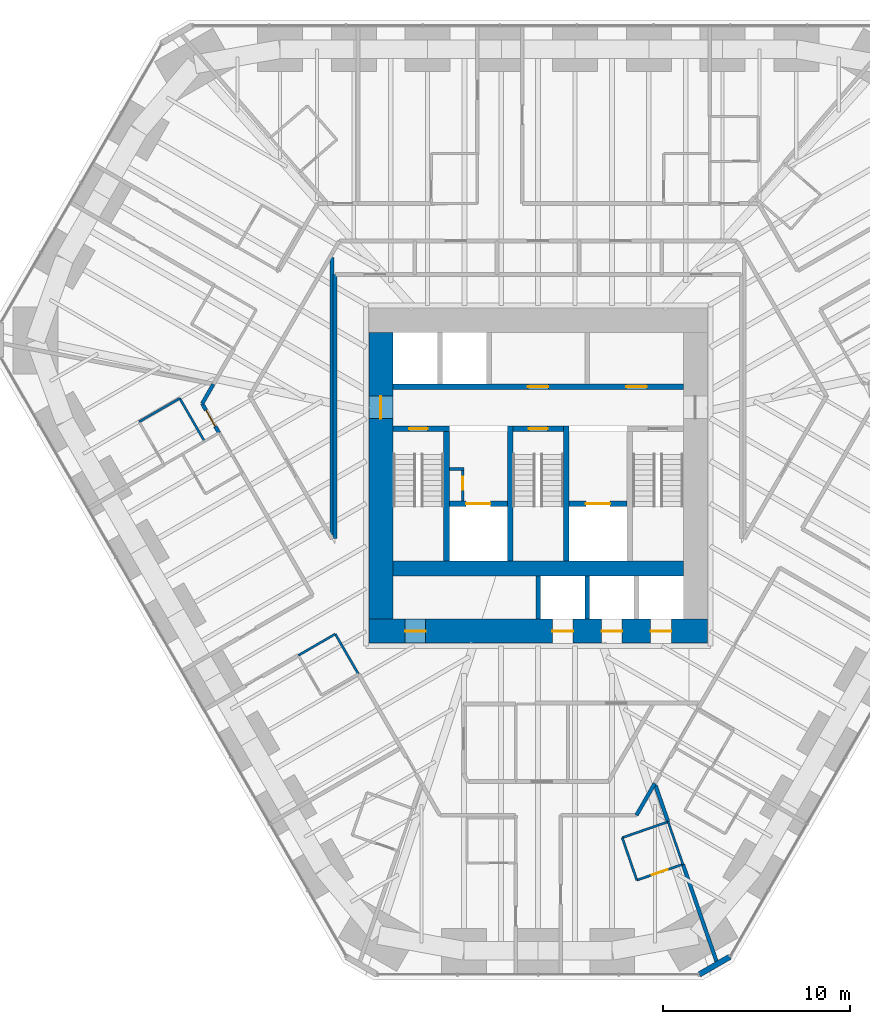
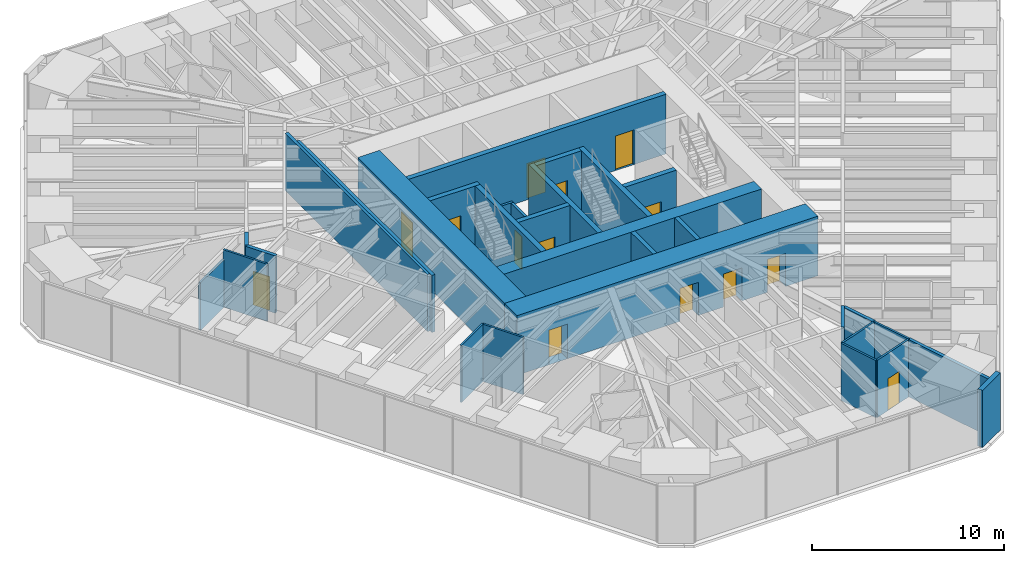
# One storey, part 12 of 17: 31 walls, 14 doors, 14 openings.
"""IFC4 building model written with IfcOpenShell, lengths in metres."""

from ifc_helpers import new_model, si_unit, direction, frame, frame_2d, origin, place, context, subcontext, project, spatial, rectangle, extrude, material, layer, layer_set, type_object, element, fill, save


model = new_model("IFC4")

# Units and contexts
model_context = context("Model", 3, precision=1e-05, world=origin(), true_north=direction((0.0, 1.0)))
body_context = subcontext(model_context, "Body", "Model", "MODEL_VIEW")
ifc_project = project(units=[si_unit("LENGTHUNIT", "METRE"), si_unit("AREAUNIT", "SQUARE_METRE"), si_unit("VOLUMEUNIT", "CUBIC_METRE"), si_unit("PLANEANGLEUNIT", "RADIAN"), si_unit("MASSUNIT", "GRAM", prefix="KILO")], contexts=[model_context])

# Site, building, storey
site_placement = place(None, origin())
site = spatial("IfcSite", under=ifc_project, at=site_placement, CompositionType="ELEMENT")
building_placement = place(site_placement, origin())
building = spatial("IfcBuilding", under=site, at=building_placement, Name="Sandreach Pilgrim Tower", CompositionType="ELEMENT")
storey_placement = place(building_placement, frame((0.0, 0.0, 100.60009765625)))
storey = spatial("IfcBuildingStorey", under=building, at=storey_placement, Name="L24", CompositionType="ELEMENT", Elevation=100.60009765625)

# Walls
ifc_material_1 = material(Name="Moisture-resistant gypsum board on steel studs", Category="steel")
ifc_layer_1 = layer(ifc_material_1, 0.1201171875)
ifc_layer_set_1 = layer_set([ifc_layer_1], Name="Bathroom partition 120")
wall_type_1 = type_object("IfcWallType", Name="Bathroom partition 120", PredefinedType="PARTITIONING", material=ifc_layer_set_1)
wall_1_placement = place(storey_placement, frame((-19.14990234375, 2.580078125, 0.0), z_axis=(0.0, 0.0, 1.0), x_axis=(-0.86653430447, -0.499117520406, 0.0)))
element("IfcWall", 1, at=wall_1_placement, inside=storey, type_object=wall_type_1, Name="Bathroom partition L24-008", PredefinedType="PARTITIONING", context=body_context, shape_type="SweptSolid", body=[
    extrude(rectangle(XDim=2.50439453125, YDim=0.1201171875, at=frame_2d((1.252197265625, 0.0))), origin(), (0.0, 0.0, 1.0), 3.037841796875),
])
wall_2_placement = place(storey_placement, frame((-17.830078125, 0.2900390625, 0.0), z_axis=(0.0, 0.0, 1.0), x_axis=(-0.499338582192, 0.866406936915, 0.0)))
element("IfcWall", 2, at=wall_2_placement, inside=storey, type_object=wall_type_1, Name="Bathroom partition L24-015", PredefinedType="PARTITIONING", context=body_context, shape_type="SweptSolid", body=[
    extrude(rectangle(XDim=2.64306640625, YDim=0.1201171875, at=frame_2d((1.321533203125, 0.0))), origin(), (0.0, 0.0, 1.0), 3.639892578125),
])
wall_3_placement = place(storey_placement, frame((-12.81005859375, -11.14990234375, 0.0), z_axis=(0.0, 0.0, 1.0), x_axis=(0.865543766642, 0.500833293649, 0.0)))
element("IfcWall", 3, at=wall_3_placement, inside=storey, type_object=wall_type_1, Name="Bathroom partition L24-033", PredefinedType="PARTITIONING", context=body_context, shape_type="SweptSolid", body=[
    extrude(rectangle(XDim=2.27587890625, YDim=0.1201171875, at=frame_2d((1.137939453125, 0.0))), origin(), (0.0, 0.0, 1.0), 3.639892578125),
])
wall_4_placement = place(storey_placement, frame((-10.840087890625, -10.010009765625, 0.0), z_axis=(0.0, 0.0, 1.0), x_axis=(0.500089055364, -0.86597398154, 0.0)))
element("IfcWall", 4, at=wall_4_placement, inside=storey, type_object=wall_type_1, Name="Bathroom partition L24-045", PredefinedType="PARTITIONING", context=body_context, shape_type="SweptSolid", body=[
    extrude(rectangle(XDim=2.45947265625, YDim=0.1201171875, at=frame_2d((1.229736328125, 0.0))), origin(), (0.0, 0.0, 1.0), 3.639892578125),
])
wall_5_placement = place(storey_placement, frame((4.489990234375, -20.889892578125, 0.0), z_axis=(0.0, 0.0, 1.0), x_axis=(0.324971746724, -0.945723724896, 0.0)))
element("IfcWall", 5, at=wall_5_placement, inside=storey, type_object=wall_type_1, Name="Bathroom partition L24-093", PredefinedType="PARTITIONING", context=body_context, shape_type="SweptSolid", body=[
    extrude(rectangle(XDim=2.400390625, YDim=0.1201171875, at=frame_2d((1.2001953125, 0.0))), origin(), (0.0, 0.0, 1.0), 3.639892578125),
])

# Wall, opening, door
wall_6_placement = place(storey_placement, frame((5.27001953125, -23.159912109375, 0.0), z_axis=(0.0, 0.0, 1.0), x_axis=(0.945184415197, 0.326537013627, 0.0)))
wall_6 = element("IfcWall", 6, at=wall_6_placement, inside=storey, type_object=wall_type_1, Name="Bathroom partition L24-095", PredefinedType="PARTITIONING", context=body_context, shape_type="SweptSolid", body=[
    extrude(rectangle(XDim=2.6025390625, YDim=0.1201171875, at=frame_2d((1.30126953125, 0.0))), origin(), (0.0, 0.0, 1.0), 3.639892578125),
])
opening_1_placement = place(wall_6_placement, frame((0.85009765625, 0.0, 0.0)))
opening_1 = element("IfcOpeningElement", 7, at=opening_1_placement, cuts=wall_6, Name="Opening D09-10B", PredefinedType="OPENING", context=body_context, shape_type="SweptSolid", body=[
    extrude(rectangle(XDim=0.89990234375, YDim=2.030029296875, at=frame_2d((0.449951171875, 1.01513671875))), frame((0.0, 0.06005859375, 0.0), z_axis=(0.0, -1.0, 0.0), x_axis=(1.0, 0.0, 0.0)), (0.0, 0.0, 1.0), 0.1201171875),
])
ifc_material_2 = material(Name="Timber door, steel frame", Category="steel")
door_type_1 = type_object("IfcDoorType", Name="Bathroom door", OperationType="SINGLE_SWING_LEFT", PredefinedType="DOOR", material=ifc_material_2)
door_1_placement = place(opening_1_placement, origin())
door_1 = element("IfcDoor", 8, at=door_1_placement, inside=storey, type_object=door_type_1, Name="Door 2410B", OperationType="SINGLE_SWING_LEFT", OverallHeight=2.030029296875, OverallWidth=0.89990234375, PredefinedType="DOOR", context=body_context, shape_type="SweptSolid", body=[
    extrude(rectangle(XDim=0.89990234375, YDim=2.030029296875, at=frame_2d((0.449951171875, 1.01513671875))), frame((0.0, 0.02490234375, 0.0), z_axis=(0.0, -1.0, 0.0), x_axis=(1.0, 0.0, 0.0)), (0.0, 0.0, 1.0), 0.050048828125),
])
fill(opening_1, door_1)

# Walls
wall_7_placement = place(storey_placement, frame((6.93994140625, -20.0400390625, 0.0), z_axis=(0.0, 0.0, 1.0), x_axis=(-0.944772080486, -0.327728112822, 0.0)))
element("IfcWall", 9, at=wall_7_placement, inside=storey, type_object=wall_type_1, Name="Bathroom partition L24-104", PredefinedType="PARTITIONING", context=body_context, shape_type="SweptSolid", body=[
    extrude(rectangle(XDim=2.59326171875, YDim=0.1201171875, at=frame_2d((1.296630859375, 0.0))), origin(), (0.0, 0.0, 1.0), 3.639892578125),
])
wall_8_placement = place(storey_placement, frame((6.93994140625, -20.0400390625, 0.0), z_axis=(0.0, 0.0, 1.0), x_axis=(0.328693963496, -0.944436487203, 0.0)))
element("IfcWall", 10, at=wall_8_placement, inside=storey, type_object=wall_type_1, Name="Bathroom partition L24-105", PredefinedType="PARTITIONING", context=body_context, shape_type="SweptSolid", body=[
    extrude(rectangle(XDim=2.403564453125, YDim=0.1201171875, at=frame_2d((1.20166015625, 0.0))), origin(), (0.0, 0.0, 1.0), 3.639892578125),
])
ifc_material_3 = material(Name="Concrete 10000 psi", Category="concrete")
ifc_layer_2 = layer(ifc_material_3, 0.300048828125)
ifc_layer_set_2 = layer_set([ifc_layer_2], Name="Core inner wall 300")
wall_type_2 = type_object("IfcWallType", Name="Core inner wall 300", PredefinedType="SHEAR", material=ifc_layer_set_2)
for number, where, z_axis, x_axis, name in (
    (11, (-4.89990234375, -6.10009765625, 0.0), (0.0, 0.0, 1.0), (0.0, 1.0, 0.0), "Core wall I0 L24"),
    (12, (-1.5, -6.10009765625, 0.0), (0.0, 0.0, 1.0), (0.0, 1.0, 0.0), "Core wall I1 L24"),
    (13, (1.5, -6.10009765625, 0.0), (0.0, 0.0, 1.0), (0.0, 1.0, 0.0), "Core wall I2 L24"),
):
    element("IfcWall", number, at=place(storey_placement, frame(where, z_axis=z_axis, x_axis=x_axis)), inside=storey, type_object=wall_type_2, Name=name, PredefinedType="SHEAR", context=body_context, shape_type="SweptSolid", body=[
        extrude(rectangle(XDim=7.2001953125, YDim=0.300048828125, at=frame_2d((3.60009765625, 0.0))), origin(), (0.0, 0.0, 1.0), 3.7998046875),
    ])

# Wall, opening, door
wall_9_placement = place(storey_placement, frame((-7.75, 0.949951171875, 0.0), z_axis=(0.0, 0.0, 1.0), x_axis=(1.0, 0.0, 0.0)))
wall_9 = element("IfcWall", 14, at=wall_9_placement, inside=storey, type_object=wall_type_2, Name="Core wall SN1 L24", PredefinedType="SHEAR", context=body_context, shape_type="SweptSolid", body=[
    extrude(rectangle(XDim=3.0, YDim=0.300048828125, at=frame_2d((1.5, 0.0))), origin(), (0.0, 0.0, 1.0), 3.7998046875),
])
opening_2_placement = place(wall_9_placement, frame((0.85009765625, 0.0, 0.0)))
opening_2 = element("IfcOpeningElement", 15, at=opening_2_placement, cuts=wall_9, Name="Opening D10S-ST1", PredefinedType="OPENING", context=body_context, shape_type="SweptSolid", body=[
    extrude(rectangle(XDim=1.0, YDim=2.199951171875, at=frame_2d((0.5, 1.10009765625))), frame((0.0, 0.14990234375, 0.0), z_axis=(0.0, -1.0, 0.0), x_axis=(1.0, 0.0, 0.0)), (0.0, 0.0, 1.0), 0.300048828125),
])
ifc_material_4 = material(Name="Steel door and frame", Category="steel")
door_type_2 = type_object("IfcDoorType", Name="Stair door", OperationType="SINGLE_SWING_LEFT", PredefinedType="DOOR", material=ifc_material_4)
door_2_placement = place(opening_2_placement, origin())
door_2 = element("IfcDoor", 16, at=door_2_placement, inside=storey, type_object=door_type_2, Name="Stair door ST1 L24", OperationType="SINGLE_SWING_LEFT", OverallHeight=2.199951171875, OverallWidth=1.0, PredefinedType="DOOR", context=body_context, shape_type="SweptSolid", body=[
    extrude(rectangle(XDim=1.0, YDim=2.199951171875, at=frame_2d((0.5, 1.10009765625))), frame((0.0, 0.02490234375, 0.0), z_axis=(0.0, -1.0, 0.0), x_axis=(1.0, 0.0, 0.0)), (0.0, 0.0, 1.0), 0.050048828125),
])
fill(opening_2, door_2)

wall_10_placement = place(storey_placement, frame((-1.35009765625, 0.949951171875, 0.0), z_axis=(0.0, 0.0, 1.0), x_axis=(1.0, 0.0, 0.0)))
wall_10 = element("IfcWall", 17, at=wall_10_placement, inside=storey, type_object=wall_type_2, Name="Core wall SN3 L24", PredefinedType="SHEAR", context=body_context, shape_type="SweptSolid", body=[
    extrude(rectangle(XDim=2.7001953125, YDim=0.300048828125, at=frame_2d((1.35009765625, 0.0))), origin(), (0.0, 0.0, 1.0), 3.7998046875),
])
opening_3_placement = place(wall_10_placement, frame((0.85009765625, 0.0, 0.0)))
opening_3 = element("IfcOpeningElement", 18, at=opening_3_placement, cuts=wall_10, Name="Opening D10S-ST3", PredefinedType="OPENING", context=body_context, shape_type="SweptSolid", body=[
    extrude(rectangle(XDim=1.0, YDim=2.199951171875, at=frame_2d((0.5, 1.10009765625))), frame((0.0, 0.14990234375, 0.0), z_axis=(0.0, -1.0, 0.0), x_axis=(1.0, 0.0, 0.0)), (0.0, 0.0, 1.0), 0.300048828125),
])
door_3_placement = place(opening_3_placement, origin())
door_3 = element("IfcDoor", 19, at=door_3_placement, inside=storey, type_object=door_type_2, Name="Stair door ST3 L24", OperationType="SINGLE_SWING_LEFT", OverallHeight=2.199951171875, OverallWidth=1.0, PredefinedType="DOOR", context=body_context, shape_type="SweptSolid", body=[
    extrude(rectangle(XDim=1.0, YDim=2.199951171875, at=frame_2d((0.5, 1.10009765625))), frame((0.0, 0.02490234375, 0.0), z_axis=(0.0, -1.0, 0.0), x_axis=(1.0, 0.0, 0.0)), (0.0, 0.0, 1.0), 0.050048828125),
])
fill(opening_3, door_3)

wall_11_placement = place(storey_placement, frame((-4.75, -3.050048828125, 0.0), z_axis=(0.0, 0.0, 1.0), x_axis=(1.0, 0.0, 0.0)))
wall_11 = element("IfcWall", 20, at=wall_11_placement, inside=storey, type_object=wall_type_2, Name="Core wall FL1 L24", PredefinedType="SHEAR", context=body_context, shape_type="SweptSolid", body=[
    extrude(rectangle(XDim=3.10009765625, YDim=0.300048828125, at=frame_2d((1.550048828125, 0.0))), origin(), (0.0, 0.0, 1.0), 3.7998046875),
])
opening_4_placement = place(wall_11_placement, frame((0.89990234375, 0.0, 0.0)))
opening_4 = element("IfcOpeningElement", 21, at=opening_4_placement, cuts=wall_11, Name="Opening LD13", PredefinedType="OPENING", context=body_context, shape_type="SweptSolid", body=[
    extrude(rectangle(XDim=1.300048828125, YDim=2.10009765625, at=frame_2d((0.64990234375, 1.050048828125))), frame((0.0, 0.14990234375, 0.0), z_axis=(0.0, -1.0, 0.0), x_axis=(1.0, 0.0, 0.0)), (0.0, 0.0, 1.0), 0.300048828125),
])
ifc_material_5 = material(Name="Steel door and frame", Category="steel")
door_type_3 = type_object("IfcDoorType", Name="Fire service lift landing door", OperationType="DOUBLE_DOOR_SLIDING", PredefinedType="DOOR", material=ifc_material_5)
door_4_placement = place(opening_4_placement, origin())
door_4 = element("IfcDoor", 22, at=door_4_placement, inside=storey, type_object=door_type_3, Name="Lift landing door FS1 L24", OperationType="DOUBLE_DOOR_SLIDING", OverallHeight=2.10009765625, OverallWidth=1.300048828125, PredefinedType="DOOR", context=body_context, shape_type="SweptSolid", body=[
    extrude(rectangle(XDim=1.300048828125, YDim=2.10009765625, at=frame_2d((0.64990234375, 1.050048828125))), frame((0.0, 0.02490234375, 0.0), z_axis=(0.0, -1.0, 0.0), x_axis=(1.0, 0.0, 0.0)), (0.0, 0.0, 1.0), 0.050048828125),
])
fill(opening_4, door_4)

wall_12_placement = place(storey_placement, frame((1.64990234375, -3.050048828125, 0.0), z_axis=(0.0, 0.0, 1.0), x_axis=(1.0, 0.0, 0.0)))
wall_12 = element("IfcWall", 23, at=wall_12_placement, inside=storey, type_object=wall_type_2, Name="Core wall FL2 L24", PredefinedType="SHEAR", context=body_context, shape_type="SweptSolid", body=[
    extrude(rectangle(XDim=3.10009765625, YDim=0.300048828125, at=frame_2d((1.550048828125, 0.0))), origin(), (0.0, 0.0, 1.0), 3.7998046875),
])
opening_5_placement = place(wall_12_placement, frame((0.89990234375, 0.0, 0.0)))
opening_5 = element("IfcOpeningElement", 24, at=opening_5_placement, cuts=wall_12, Name="Opening LD13", PredefinedType="OPENING", context=body_context, shape_type="SweptSolid", body=[
    extrude(rectangle(XDim=1.300048828125, YDim=2.10009765625, at=frame_2d((0.64990234375, 1.050048828125))), frame((0.0, 0.14990234375, 0.0), z_axis=(0.0, -1.0, 0.0), x_axis=(1.0, 0.0, 0.0)), (0.0, 0.0, 1.0), 0.300048828125),
])
door_5_placement = place(opening_5_placement, origin())
door_5 = element("IfcDoor", 25, at=door_5_placement, inside=storey, type_object=door_type_3, Name="Lift landing door FS2 L24", OperationType="DOUBLE_DOOR_SLIDING", OverallHeight=2.10009765625, OverallWidth=1.300048828125, PredefinedType="DOOR", context=body_context, shape_type="SweptSolid", body=[
    extrude(rectangle(XDim=1.300048828125, YDim=2.10009765625, at=frame_2d((0.64990234375, 1.050048828125))), frame((0.0, 0.02490234375, 0.0), z_axis=(0.0, -1.0, 0.0), x_axis=(1.0, 0.0, 0.0)), (0.0, 0.0, 1.0), 0.050048828125),
])
fill(opening_5, door_5)

# Wall, openings, doors
wall_13_placement = place(storey_placement, frame((-7.75, 3.199951171875, 0.0), z_axis=(0.0, 0.0, 1.0), x_axis=(1.0, 0.0, 0.0)))
wall_13 = element("IfcWall", 26, at=wall_13_placement, inside=storey, type_object=wall_type_2, Name="Core wall PN L24", PredefinedType="SHEAR", context=body_context, shape_type="SweptSolid", body=[
    extrude(rectangle(XDim=15.5, YDim=0.300048828125, at=frame_2d((7.75, 0.0))), origin(), (0.0, 0.0, 1.0), 3.7998046875),
])
opening_6_placement = place(wall_13_placement, frame((7.199951171875, 0.0, 0.0)))
opening_6 = element("IfcOpeningElement", 27, at=opening_6_placement, cuts=wall_13, Name="Opening D11L", PredefinedType="OPENING", context=body_context, shape_type="SweptSolid", body=[
    extrude(rectangle(XDim=1.10009765625, YDim=2.199951171875, at=frame_2d((0.550048828125, 1.10009765625))), frame((0.0, 0.14990234375, 0.0), z_axis=(0.0, -1.0, 0.0), x_axis=(1.0, 0.0, 0.0)), (0.0, 0.0, 1.0), 0.300048828125),
])
opening_7_placement = place(wall_13_placement, frame((12.449951171875, 0.0, 0.0)))
opening_7 = element("IfcOpeningElement", 28, at=opening_7_placement, cuts=wall_13, Name="Opening D11L", PredefinedType="OPENING", context=body_context, shape_type="SweptSolid", body=[
    extrude(rectangle(XDim=1.10009765625, YDim=2.199951171875, at=frame_2d((0.550048828125, 1.10009765625))), frame((0.0, 0.14990234375, 0.0), z_axis=(0.0, -1.0, 0.0), x_axis=(1.0, 0.0, 0.0)), (0.0, 0.0, 1.0), 0.300048828125),
])
ifc_material_6 = material(Name="Steel door and frame, smoke seals", Category="steel")
door_type_4 = type_object("IfcDoorType", Name="Core room door", OperationType="SINGLE_SWING_LEFT", PredefinedType="DOOR", material=ifc_material_6)
door_6_placement = place(opening_6_placement, origin())
door_6 = element("IfcDoor", 29, at=door_6_placement, inside=storey, type_object=door_type_4, Name="Door guest pantry 24K1", OperationType="SINGLE_SWING_LEFT", OverallHeight=2.199951171875, OverallWidth=1.10009765625, PredefinedType="DOOR", context=body_context, shape_type="SweptSolid", body=[
    extrude(rectangle(XDim=1.10009765625, YDim=2.199951171875, at=frame_2d((0.550048828125, 1.10009765625))), frame((0.0, 0.02490234375, 0.0), z_axis=(0.0, -1.0, 0.0), x_axis=(1.0, 0.0, 0.0)), (0.0, 0.0, 1.0), 0.050048828125),
])
fill(opening_6, door_6)
door_7_placement = place(opening_7_placement, origin())
door_7 = element("IfcDoor", 30, at=door_7_placement, inside=storey, type_object=door_type_4, Name="Door it room 24K2", OperationType="SINGLE_SWING_RIGHT", OverallHeight=2.199951171875, OverallWidth=1.10009765625, PredefinedType="DOOR", context=body_context, shape_type="SweptSolid", body=[
    extrude(rectangle(XDim=1.10009765625, YDim=2.199951171875, at=frame_2d((0.550048828125, 1.10009765625))), frame((0.0, 0.02490234375, 0.0), z_axis=(0.0, -1.0, 0.0), x_axis=(1.0, 0.0, 0.0)), (0.0, 0.0, 1.0), 0.050048828125),
])
fill(opening_7, door_7)

# Wall
ifc_material_7 = material(Name="Concrete 10000 psi", Category="concrete")
ifc_layer_3 = layer(ifc_material_7, 0.800048828125)
ifc_layer_set_3 = layer_set([ifc_layer_3], Name="Core mid wall 800")
wall_type_3 = type_object("IfcWallType", Name="Core mid wall 800", PredefinedType="SHEAR", material=ifc_layer_set_3)
wall_14_placement = place(storey_placement, frame((-7.75, -6.5, 0.0), z_axis=(0.0, 0.0, 1.0), x_axis=(1.0, 0.0, 0.0)))
element("IfcWall", 31, at=wall_14_placement, inside=storey, type_object=wall_type_3, Name="Core wall M L24", PredefinedType="SHEAR", context=body_context, shape_type="SweptSolid", body=[
    extrude(rectangle(XDim=15.5, YDim=0.800048828125, at=frame_2d((7.75, 0.0))), origin(), (0.0, 0.0, 1.0), 3.7998046875),
])

# Wall, openings, doors
ifc_material_8 = material(Name="Concrete 10000 psi", Category="concrete")
ifc_layer_4 = layer(ifc_material_8, 1.300048828125)
ifc_layer_set_4 = layer_set([ifc_layer_4], Name="Core wall 1300")
wall_type_4 = type_object("IfcWallType", Name="Core wall 1300", PredefinedType="SHEAR", material=ifc_layer_set_4)
wall_15_placement = place(storey_placement, frame((-9.050048828125, -9.85009765625, 0.0), z_axis=(0.0, 0.0, 1.0), x_axis=(1.0, 0.0, 0.0)))
wall_15 = element("IfcWall", 32, at=wall_15_placement, inside=storey, type_object=wall_type_4, Name="Core wall S L24", PredefinedType="SHEAR", context=body_context, shape_type="SweptSolid", body=[
    extrude(rectangle(XDim=18.10009765625, YDim=1.300048828125, at=frame_2d((9.050048828125, 0.0))), origin(), (0.0, 0.0, 1.0), 3.7998046875),
])
opening_8_placement = place(wall_15_placement, frame((1.9375, 0.0, 0.0)))
opening_8 = element("IfcOpeningElement", 33, at=opening_8_placement, cuts=wall_15, Name="Opening D11H", PredefinedType="OPENING", context=body_context, shape_type="SweptSolid", body=[
    extrude(rectangle(XDim=1.10009765625, YDim=2.199951171875, at=frame_2d((0.550048828125, 1.10009765625))), frame((0.0, 0.64990234375, 0.0), z_axis=(0.0, -1.0, 0.0), x_axis=(1.0, 0.0, 0.0)), (0.0, 0.0, 1.0), 1.300048828125),
])
opening_9_placement = place(wall_15_placement, frame((9.8125, 0.0, 0.0)))
opening_9 = element("IfcOpeningElement", 34, at=opening_9_placement, cuts=wall_15, Name="Opening LD11", PredefinedType="OPENING", context=body_context, shape_type="SweptSolid", body=[
    extrude(rectangle(XDim=1.10009765625, YDim=2.10009765625, at=frame_2d((0.550048828125, 1.050048828125))), frame((0.0, 0.64990234375, 0.0), z_axis=(0.0, -1.0, 0.0), x_axis=(1.0, 0.0, 0.0)), (0.0, 0.0, 1.0), 1.300048828125),
])
opening_10_placement = place(wall_15_placement, frame((12.4375, 0.0, 0.0)))
opening_10 = element("IfcOpeningElement", 35, at=opening_10_placement, cuts=wall_15, Name="Opening LD11", PredefinedType="OPENING", context=body_context, shape_type="SweptSolid", body=[
    extrude(rectangle(XDim=1.10009765625, YDim=2.10009765625, at=frame_2d((0.550048828125, 1.050048828125))), frame((0.0, 0.64990234375, 0.0), z_axis=(0.0, -1.0, 0.0), x_axis=(1.0, 0.0, 0.0)), (0.0, 0.0, 1.0), 1.300048828125),
])
opening_11_placement = place(wall_15_placement, frame((15.0625, 0.0, 0.0)))
opening_11 = element("IfcOpeningElement", 36, at=opening_11_placement, cuts=wall_15, Name="Opening LD11", PredefinedType="OPENING", context=body_context, shape_type="SweptSolid", body=[
    extrude(rectangle(XDim=1.10009765625, YDim=2.10009765625, at=frame_2d((0.550048828125, 1.050048828125))), frame((0.0, 0.64990234375, 0.0), z_axis=(0.0, -1.0, 0.0), x_axis=(1.0, 0.0, 0.0)), (0.0, 0.0, 1.0), 1.300048828125),
])
ifc_material_9 = material(Name="Steel door and frame", Category="steel")
door_type_5 = type_object("IfcDoorType", Name="Back of house door", OperationType="SINGLE_SWING_LEFT", PredefinedType="DOOR", material=ifc_material_9)
door_8_placement = place(opening_8_placement, origin())
door_8 = element("IfcDoor", 37, at=door_8_placement, inside=storey, type_object=door_type_5, Name="Door staff room 24K3", OperationType="SINGLE_SWING_LEFT", OverallHeight=2.199951171875, OverallWidth=1.10009765625, PredefinedType="DOOR", context=body_context, shape_type="SweptSolid", body=[
    extrude(rectangle(XDim=1.10009765625, YDim=2.199951171875, at=frame_2d((0.550048828125, 1.10009765625))), frame((0.0, 0.02490234375, 0.0), z_axis=(0.0, -1.0, 0.0), x_axis=(1.0, 0.0, 0.0)), (0.0, 0.0, 1.0), 0.050048828125),
])
fill(opening_8, door_8)
ifc_material_10 = material(Name="Steel door and frame", Category="steel")
door_type_6 = type_object("IfcDoorType", Name="Lift landing door", OperationType="DOUBLE_DOOR_SLIDING", PredefinedType="DOOR", material=ifc_material_10)
door_9_placement = place(opening_9_placement, origin())
door_9 = element("IfcDoor", 38, at=door_9_placement, inside=storey, type_object=door_type_6, Name="Lift landing door Z2A L24", OperationType="DOUBLE_DOOR_SLIDING", OverallHeight=2.10009765625, OverallWidth=1.10009765625, PredefinedType="DOOR", context=body_context, shape_type="SweptSolid", body=[
    extrude(rectangle(XDim=1.10009765625, YDim=2.10009765625, at=frame_2d((0.550048828125, 1.050048828125))), frame((0.0, 0.02490234375, 0.0), z_axis=(0.0, -1.0, 0.0), x_axis=(1.0, 0.0, 0.0)), (0.0, 0.0, 1.0), 0.050048828125),
])
fill(opening_9, door_9)
door_10_placement = place(opening_10_placement, origin())
door_10 = element("IfcDoor", 39, at=door_10_placement, inside=storey, type_object=door_type_6, Name="Lift landing door Z2B L24", OperationType="DOUBLE_DOOR_SLIDING", OverallHeight=2.10009765625, OverallWidth=1.10009765625, PredefinedType="DOOR", context=body_context, shape_type="SweptSolid", body=[
    extrude(rectangle(XDim=1.10009765625, YDim=2.10009765625, at=frame_2d((0.550048828125, 1.050048828125))), frame((0.0, 0.02490234375, 0.0), z_axis=(0.0, -1.0, 0.0), x_axis=(1.0, 0.0, 0.0)), (0.0, 0.0, 1.0), 0.050048828125),
])
fill(opening_10, door_10)
door_11_placement = place(opening_11_placement, origin())
door_11 = element("IfcDoor", 40, at=door_11_placement, inside=storey, type_object=door_type_6, Name="Lift landing door Z2C L24", OperationType="DOUBLE_DOOR_SLIDING", OverallHeight=2.10009765625, OverallWidth=1.10009765625, PredefinedType="DOOR", context=body_context, shape_type="SweptSolid", body=[
    extrude(rectangle(XDim=1.10009765625, YDim=2.10009765625, at=frame_2d((0.550048828125, 1.050048828125))), frame((0.0, 0.02490234375, 0.0), z_axis=(0.0, -1.0, 0.0), x_axis=(1.0, 0.0, 0.0)), (0.0, 0.0, 1.0), 0.050048828125),
])
fill(opening_11, door_11)

# Wall, opening, door
wall_16_placement = place(storey_placement, frame((-8.39990234375, -9.199951171875, 0.0), z_axis=(0.0, 0.0, 1.0), x_axis=(0.0, 1.0, 0.0)))
wall_16 = element("IfcWall", 41, at=wall_16_placement, inside=storey, type_object=wall_type_4, Name="Core wall W L24", PredefinedType="SHEAR", context=body_context, shape_type="SweptSolid", body=[
    extrude(rectangle(XDim=15.300048828125, YDim=1.300048828125, at=frame_2d((7.64990234375, 0.0))), origin(), (0.0, 0.0, 1.0), 3.7998046875),
])
opening_12_placement = place(wall_16_placement, frame((10.699951171875, 0.0, 0.0)))
opening_12 = element("IfcOpeningElement", 42, at=opening_12_placement, cuts=wall_16, Name="Opening D12F-W", PredefinedType="OPENING", context=body_context, shape_type="SweptSolid", body=[
    extrude(rectangle(XDim=1.199951171875, YDim=2.199951171875, at=frame_2d((0.60009765625, 1.10009765625))), frame((0.0, 0.64990234375, 0.0), z_axis=(0.0, -1.0, 0.0), x_axis=(1.0, 0.0, 0.0)), (0.0, 0.0, 1.0), 1.300048828125),
])
ifc_material_11 = material(Name="Steel door and frame", Category="steel")
door_type_7 = type_object("IfcDoorType", Name="Fire lobby door", OperationType="SINGLE_SWING_LEFT", PredefinedType="DOOR", material=ifc_material_11)
door_12_placement = place(opening_12_placement, origin())
door_12 = element("IfcDoor", 43, at=door_12_placement, inside=storey, type_object=door_type_7, Name="Fire service lobby door W L24", OperationType="SINGLE_SWING_RIGHT", OverallHeight=2.199951171875, OverallWidth=1.199951171875, PredefinedType="DOOR", context=body_context, shape_type="SweptSolid", body=[
    extrude(rectangle(XDim=1.199951171875, YDim=2.199951171875, at=frame_2d((0.60009765625, 1.10009765625))), frame((0.0, 0.02490234375, 0.0), z_axis=(0.0, -1.0, 0.0), x_axis=(1.0, 0.0, 0.0)), (0.0, 0.0, 1.0), 0.050048828125),
])
fill(opening_12, door_12)

# Wall
ifc_material_12 = material(Name="Gypsum board on steel studs, two layers each side", Category="steel")
ifc_layer_5 = layer(ifc_material_12, 0.199951171875)
ifc_layer_set_5 = layer_set([ifc_layer_5], Name="Corridor wall 200")
wall_type_5 = type_object("IfcWallType", Name="Corridor wall 200", PredefinedType="PARTITIONING", material=ifc_layer_set_5)
wall_17_placement = place(storey_placement, frame((-17.949951171875, 2.300048828125, 0.0), z_axis=(0.0, 0.0, 1.0), x_axis=(0.499616828121, 0.866246515178, 0.0)))
element("IfcWall", 44, at=wall_17_placement, inside=storey, type_object=wall_type_5, Name="Corridor wall L24-013", PredefinedType="PARTITIONING", context=body_context, shape_type="SweptSolid", body=[
    extrude(rectangle(XDim=1.20068359375, YDim=0.199951171875, at=frame_2d((0.600341796875, 0.0))), origin(), (0.0, 0.0, 1.0), 3.639892578125),
])

# Wall, opening, door
wall_18_placement = place(storey_placement, frame((-17.949951171875, 2.300048828125, 0.0), z_axis=(0.0, 0.0, 1.0), x_axis=(0.499667687562, -0.866217179469, 0.0)))
wall_18 = element("IfcWall", 45, at=wall_18_placement, inside=storey, type_object=wall_type_5, Name="Corridor wall L24-014", PredefinedType="PARTITIONING", context=body_context, shape_type="SweptSolid", body=[
    extrude(rectangle(XDim=1.801025390625, YDim=0.199951171875, at=frame_2d((0.900390625, 0.0))), origin(), (0.0, 0.0, 1.0), 3.639892578125),
])
opening_13_placement = place(wall_18_placement, frame((0.400390625, 0.0, 0.0)))
opening_13 = element("IfcOpeningElement", 46, at=opening_13_placement, cuts=wall_18, Name="Opening D10-15", PredefinedType="OPENING", context=body_context, shape_type="SweptSolid", body=[
    extrude(rectangle(XDim=1.0, YDim=2.1298828125, at=frame_2d((0.5, 1.06494140625))), frame((0.0, 0.10009765625, 0.0), z_axis=(0.0, -1.0, 0.0), x_axis=(1.0, 0.0, 0.0)), (0.0, 0.0, 1.0), 0.199951171875),
])
ifc_material_13 = material(Name="Steel door and frame", Category="steel")
door_type_8 = type_object("IfcDoorType", Name="Guest room entry door", OperationType="SINGLE_SWING_LEFT", PredefinedType="DOOR", material=ifc_material_13)
door_13_placement = place(opening_13_placement, origin())
door_13 = element("IfcDoor", 47, at=door_13_placement, inside=storey, type_object=door_type_8, Name="Door 2415", OperationType="SINGLE_SWING_LEFT", OverallHeight=2.1298828125, OverallWidth=1.0, PredefinedType="DOOR", context=body_context, shape_type="SweptSolid", body=[
    extrude(rectangle(XDim=1.0, YDim=2.1298828125, at=frame_2d((0.5, 1.06494140625))), frame((0.0, 0.02490234375, 0.0), z_axis=(0.0, -1.0, 0.0), x_axis=(1.0, 0.0, 0.0)), (0.0, 0.0, 1.0), 0.050048828125),
])
fill(opening_13, door_13)

# Walls
wall_19_placement = place(storey_placement, frame((-10.85009765625, 9.199951171875, 0.0), z_axis=(0.0, 0.0, 1.0), x_axis=(0.0, -1.0, 0.0)))
element("IfcWall", 48, at=wall_19_placement, inside=storey, type_object=wall_type_5, Name="Corridor wall L24-044", PredefinedType="PARTITIONING", context=body_context, shape_type="SweptSolid", body=[
    extrude(rectangle(XDim=14.10986328125, YDim=0.199951171875, at=frame_2d((7.054931640625, 0.0))), origin(), (0.0, 0.0, 1.0), 3.639892578125),
])
wall_20_placement = place(storey_placement, frame((5.25, -19.68994140625, 0.0), z_axis=(0.0, 0.0, 1.0), x_axis=(0.499431599995, 0.866353321068, 0.0)))
element("IfcWall", 49, at=wall_20_placement, inside=storey, type_object=wall_type_5, Name="Corridor wall L24-094", PredefinedType="PARTITIONING", context=body_context, shape_type="SweptSolid", body=[
    extrude(rectangle(XDim=1.962158203125, YDim=0.199951171875, at=frame_2d((0.98095703125, 0.0))), origin(), (0.0, 0.0, 1.0), 3.639892578125),
])
ifc_material_14 = material(Name="Double steel stud acoustic wall, gypsum board", Category="steel")
ifc_layer_6 = layer(ifc_material_14, 0.199951171875)
ifc_layer_set_6 = layer_set([ifc_layer_6], Name="Party wall 200")
wall_type_6 = type_object("IfcWallType", Name="Party wall 200", PredefinedType="PARTITIONING", material=ifc_layer_set_6)
wall_21_placement = place(storey_placement, frame((-11.010009765625, 10.114990234375, 0.0), z_axis=(0.0, 0.0, 1.0), x_axis=(0.0, -1.0, 0.0)))
element("IfcWall", 50, at=wall_21_placement, inside=storey, type_object=wall_type_6, Name="Party wall L24-042", PredefinedType="PARTITIONING", context=body_context, shape_type="SweptSolid", body=[
    extrude(rectangle(XDim=14.840087890625, YDim=0.199951171875, at=frame_2d((7.419921875, 0.0))), origin(), (0.0, 0.0, 1.0), 3.639892578125),
])
wall_22_placement = place(storey_placement, frame((6.267578125, -18.0986328125, 0.0), z_axis=(0.0, 0.0, 1.0), x_axis=(0.327257488288, -0.944935202202, 0.0)))
element("IfcWall", 51, at=wall_22_placement, inside=storey, type_object=wall_type_6, Name="Party wall L24-098", PredefinedType="PARTITIONING", context=body_context, shape_type="SweptSolid", body=[
    extrude(rectangle(XDim=2.054443359375, YDim=0.199951171875, at=frame_2d((1.02734375, 0.0))), origin(), (0.0, 0.0, 1.0), 3.639892578125),
])
wall_23_placement = place(storey_placement, frame((7.72998046875, -22.31005859375, 0.0), z_axis=(0.0, 0.0, 1.0), x_axis=(0.327284111977, -0.944925981253, 0.0)))
element("IfcWall", 52, at=wall_23_placement, inside=storey, type_object=wall_type_6, Name="Party wall L24-108", PredefinedType="PARTITIONING", context=body_context, shape_type="SweptSolid", body=[
    extrude(rectangle(XDim=5.65283203125, YDim=0.199951171875, at=frame_2d((2.826416015625, 0.0))), origin(), (0.0, 0.0, 1.0), 3.639892578125),
])

# Wall, opening, door
ifc_material_15 = material(Name="Gypsum shaft wall on steel studs, shaft liner board", Category="steel")
ifc_layer_7 = layer(ifc_material_15, 0.14990234375)
ifc_layer_set_7 = layer_set([ifc_layer_7], Name="Riser shaft wall 150")
wall_type_7 = type_object("IfcWallType", Name="Riser shaft wall 150", PredefinedType="PARTITIONING", material=ifc_layer_set_7)
wall_24_placement = place(storey_placement, frame((-4.02490234375, -2.89990234375, 0.0), z_axis=(0.0, 0.0, 1.0), x_axis=(0.0, 1.0, 0.0)))
wall_24 = element("IfcWall", 53, at=wall_24_placement, inside=storey, type_object=wall_type_7, Name="Riser partition L24 side", PredefinedType="PARTITIONING", context=body_context, shape_type="SweptSolid", body=[
    extrude(rectangle(XDim=1.77490234375, YDim=0.14990234375, at=frame_2d((0.887451171875, 0.0))), origin(), (0.0, 0.0, 1.0), 3.639892578125),
])
opening_14_placement = place(wall_24_placement, frame((0.60009765625, 0.0, 0.0)))
opening_14 = element("IfcOpeningElement", 54, at=opening_14_placement, cuts=wall_24, Name="Opening D07R", PredefinedType="OPENING", context=body_context, shape_type="SweptSolid", body=[
    extrude(rectangle(XDim=0.699951171875, YDim=2.10009765625, at=frame_2d((0.35009765625, 1.050048828125))), frame((0.0, 0.074951171875, 0.0), z_axis=(0.0, -1.0, 0.0), x_axis=(1.0, 0.0, 0.0)), (0.0, 0.0, 1.0), 0.14990234375),
])
ifc_material_16 = material(Name="Steel door and frame, smoke seals", Category="steel")
door_type_9 = type_object("IfcDoorType", Name="Riser access door", OperationType="SINGLE_SWING_RIGHT", PredefinedType="DOOR", material=ifc_material_16)
door_14_placement = place(opening_14_placement, origin())
door_14 = element("IfcDoor", 55, at=door_14_placement, inside=storey, type_object=door_type_9, Name="Door riser 24ER", OperationType="SINGLE_SWING_RIGHT", OverallHeight=2.10009765625, OverallWidth=0.699951171875, PredefinedType="DOOR", context=body_context, shape_type="SweptSolid", body=[
    extrude(rectangle(XDim=0.699951171875, YDim=2.10009765625, at=frame_2d((0.35009765625, 1.050048828125))), frame((0.0, 0.02490234375, 0.0), z_axis=(0.0, -1.0, 0.0), x_axis=(1.0, 0.0, 0.0)), (0.0, 0.0, 1.0), 0.050048828125),
])
fill(opening_14, door_14)

# Walls
wall_25_placement = place(storey_placement, frame((-4.75, -1.199951171875, 0.0), z_axis=(0.0, 0.0, 1.0), x_axis=(1.0, 0.0, 0.0)))
element("IfcWall", 56, at=wall_25_placement, inside=storey, type_object=wall_type_7, Name="Riser partition L24 front", PredefinedType="PARTITIONING", context=body_context, shape_type="SweptSolid", body=[
    extrude(rectangle(XDim=0.800048828125, YDim=0.14990234375, at=frame_2d((0.39990234375, 0.0))), origin(), (0.0, 0.0, 1.0), 3.639892578125),
])
ifc_material_17 = material(Name="Gypsum shaft wall on steel studs, two layers of shaft liner board", Category="steel")
ifc_layer_8 = layer(ifc_material_17, 0.25)
ifc_layer_set_8 = layer_set([ifc_layer_8], Name="Shaft partition 250")
wall_type_8 = type_object("IfcWallType", Name="Shaft partition 250", PredefinedType="PARTITIONING", material=ifc_layer_set_8)
for number, where, z_axis, x_axis, name in (
    (57, (0.0, -9.199951171875, 0.0), (0.0, 0.0, 1.0), (0.0, 1.0, 0.0), "Shaft partition XS2 L24"),
    (58, (2.625, -9.199951171875, 0.0), (0.0, 0.0, 1.0), (0.0, 1.0, 0.0), "Shaft partition XS3 L24"),
):
    element("IfcWall", number, at=place(storey_placement, frame(where, z_axis=z_axis, x_axis=x_axis)), inside=storey, type_object=wall_type_8, Name=name, PredefinedType="PARTITIONING", context=body_context, shape_type="SweptSolid", body=[
        extrude(rectangle(XDim=2.300048828125, YDim=0.25, at=frame_2d((1.14990234375, 0.0))), origin(), (0.0, 0.0, 1.0), 3.7998046875),
    ])
ifc_material_18 = material(Name="Terracotta rainscreen on concrete", Category="masonry")
ifc_layer_9 = layer(ifc_material_18, 0.300048828125)
ifc_layer_set_9 = layer_set([ifc_layer_9], Name="Terracotta chamfer pier")
wall_type_9 = type_object("IfcWallType", Name="Terracotta chamfer pier", PredefinedType="SOLIDWALL", material=ifc_layer_set_9)
wall_26_placement = place(storey_placement, frame((10.239501953125, -27.252197265625, 0.0), z_axis=(0.0, 0.0, 1.0), x_axis=(-0.866045024864, -0.499966013754, 0.0)))
element("IfcWall", 59, at=wall_26_placement, inside=storey, type_object=wall_type_9, Name="Chamfer pier L24 SE", PredefinedType="SOLIDWALL", context=body_context, shape_type="SweptSolid", body=[
    extrude(rectangle(XDim=1.880126953125, YDim=0.300048828125, at=frame_2d((0.93994140625, 0.0))), origin(), (0.0, 0.0, 1.0), 3.639892578125),
])

save(model, "model.ifc")
